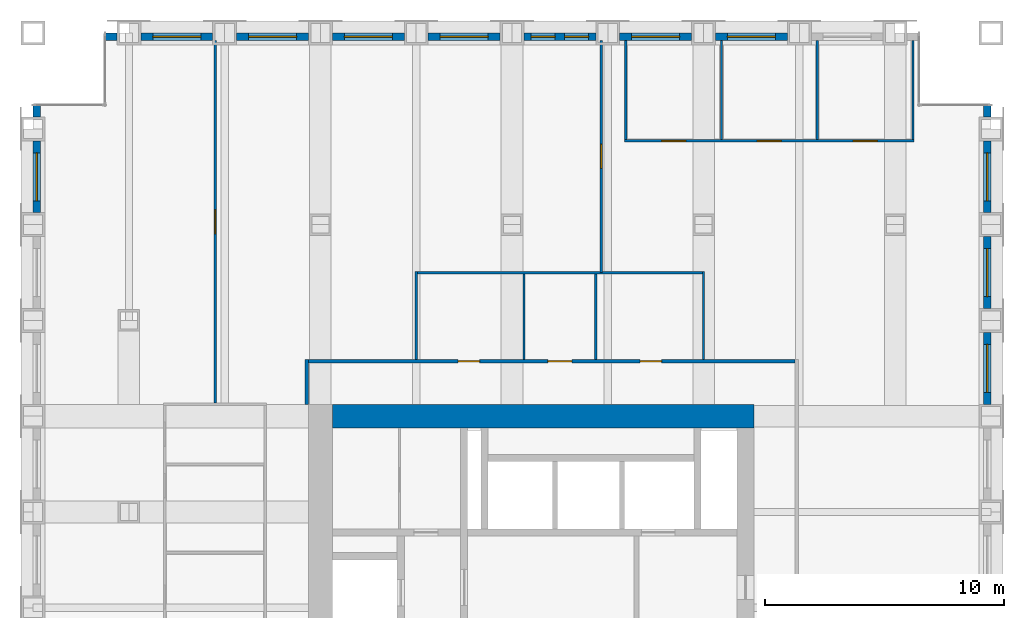
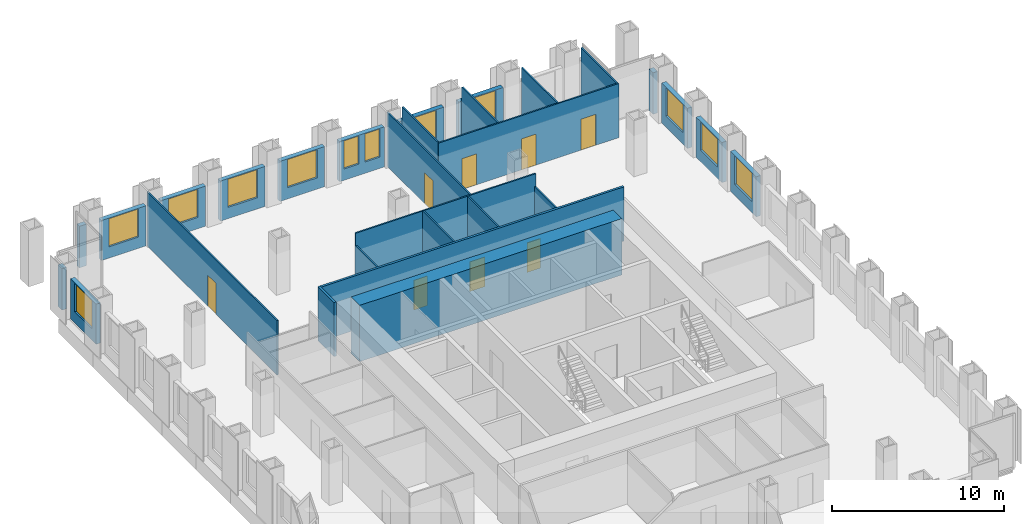
# One storey, part 10 of 12: 29 walls, 12 windows, 8 doors, 20 openings.
"""IFC4 building model written with IfcOpenShell, lengths in metres."""

from ifc_helpers import new_model, si_unit, direction, frame, frame_2d, origin, place, context, subcontext, project, spatial, rectangle, extrude, material, layer, layer_set, type_object, element, fill, save


model = new_model("IFC4")

# Units and contexts
model_context = context("Model", 3, precision=1e-05, world=origin(), true_north=direction((0.0, 1.0)))
body_context = subcontext(model_context, "Body", "Model", "MODEL_VIEW")
ifc_project = project(units=[si_unit("LENGTHUNIT", "METRE"), si_unit("AREAUNIT", "SQUARE_METRE"), si_unit("VOLUMEUNIT", "CUBIC_METRE"), si_unit("PLANEANGLEUNIT", "RADIAN"), si_unit("MASSUNIT", "GRAM", prefix="KILO")], contexts=[model_context])

# Site, building, storey
site_placement = place(None, origin())
site = spatial("IfcSite", under=ifc_project, at=site_placement, CompositionType="ELEMENT")
building_placement = place(site_placement, origin())
building = spatial("IfcBuilding", under=site, at=building_placement, Name="Rimbunsela Tower", CompositionType="ELEMENT")
storey_placement = place(building_placement, frame((0.0, 0.0, 159.800048828125)))
storey = spatial("IfcBuildingStorey", under=building, at=storey_placement, Name="L38", CompositionType="ELEMENT", Elevation=159.800048828125)

# Wall
ifc_material_1 = material(Name="Concrete fc' 80 MPa", Category="concrete")
ifc_layer_1 = layer(ifc_material_1, 1.0)
ifc_layer_set_1 = layer_set([ifc_layer_1], Name="Core wall 1000")
wall_type_1 = type_object("IfcWallType", Name="Core wall 1000", PredefinedType="SHEAR", material=ifc_layer_set_1)
wall_1_placement = place(storey_placement, frame((18.5, 36.0, -0.150146484375), z_axis=(0.0, 0.0, 1.0), x_axis=(1.0, 0.0, 0.0)))
element("IfcWall", 1, at=wall_1_placement, inside=storey, type_object=wall_type_1, Name="Core wall north", PredefinedType="SHEAR", context=body_context, shape_type="SweptSolid", body=[
    extrude(rectangle(XDim=17.60009765625, YDim=1.0, at=frame_2d((8.800048828125, 0.0))), origin(), (0.0, 0.0, 1.0), 4.0),
])

# Wall, openings, doors
ifc_material_2 = material(Name="Gypsum board on steel studs", Category="steel")
ifc_layer_2 = layer(ifc_material_2, 0.10009765625)
ifc_layer_set_2 = layer_set([ifc_layer_2], Name="Office partition 100")
wall_type_2 = type_object("IfcWallType", Name="Office partition 100", PredefinedType="PARTITIONING", material=ifc_layer_set_2)
wall_2_placement = place(storey_placement, frame((30.699951171875, 47.5, 0.0), z_axis=(0.0, 0.0, 1.0), x_axis=(1.0, 0.0, 0.0)))
wall_2 = element("IfcWall", 2, at=wall_2_placement, inside=storey, type_object=wall_type_2, Name="Office partition", PredefinedType="PARTITIONING", context=body_context, shape_type="SweptSolid", body=[
    extrude(rectangle(XDim=12.10009765625, YDim=0.10009765625, at=frame_2d((6.050048828125, 0.0))), origin(), (0.0, 0.0, 1.0), 3.849853515625),
])
opening_1_placement = place(wall_2_placement, frame((1.550048828125, 0.0, 0.0)))
opening_1 = element("IfcOpeningElement", 3, at=opening_1_placement, cuts=wall_2, Name="Opening D16", PredefinedType="OPENING", context=body_context, shape_type="SweptSolid", body=[
    extrude(rectangle(XDim=1.0, YDim=2.199951171875, at=frame_2d((0.5, 1.10009765625))), frame((0.0, 0.06005859375, 0.0), z_axis=(0.0, -1.0, 0.0), x_axis=(1.0, 0.0, 0.0)), (0.0, 0.0, 1.0), 0.1201171875),
])
opening_2_placement = place(wall_2_placement, frame((5.550048828125, 0.0, 0.0)))
opening_2 = element("IfcOpeningElement", 4, at=opening_2_placement, cuts=wall_2, Name="Opening D16", PredefinedType="OPENING", context=body_context, shape_type="SweptSolid", body=[
    extrude(rectangle(XDim=1.0, YDim=2.199951171875, at=frame_2d((0.5, 1.10009765625))), frame((0.0, 0.06005859375, 0.0), z_axis=(0.0, -1.0, 0.0), x_axis=(1.0, 0.0, 0.0)), (0.0, 0.0, 1.0), 0.1201171875),
])
opening_3_placement = place(wall_2_placement, frame((9.550048828125, 0.0, 0.0)))
opening_3 = element("IfcOpeningElement", 5, at=opening_3_placement, cuts=wall_2, Name="Opening D16", PredefinedType="OPENING", context=body_context, shape_type="SweptSolid", body=[
    extrude(rectangle(XDim=1.0, YDim=2.199951171875, at=frame_2d((0.5, 1.10009765625))), frame((0.0, 0.06005859375, 0.0), z_axis=(0.0, -1.0, 0.0), x_axis=(1.0, 0.0, 0.0)), (0.0, 0.0, 1.0), 0.1201171875),
])
ifc_material_3 = material(Name="Timber door", Category="wood")
door_type_1 = type_object("IfcDoorType", Name="Office door 1000", OperationType="SINGLE_SWING_LEFT", PredefinedType="DOOR", material=ifc_material_3)
door_1_placement = place(opening_1_placement, origin())
door_1 = element("IfcDoor", 6, at=door_1_placement, inside=storey, type_object=door_type_1, Name="Office door", OperationType="SINGLE_SWING_LEFT", OverallHeight=2.199951171875, OverallWidth=1.0, PredefinedType="DOOR", context=body_context, shape_type="SweptSolid", body=[
    extrude(rectangle(XDim=1.0, YDim=2.199951171875, at=frame_2d((0.5, 1.10009765625))), frame((0.0, 0.02490234375, 0.0), z_axis=(0.0, -1.0, 0.0), x_axis=(1.0, 0.0, 0.0)), (0.0, 0.0, 1.0), 0.050048828125),
])
fill(opening_1, door_1)
door_2_placement = place(opening_2_placement, origin())
door_2 = element("IfcDoor", 7, at=door_2_placement, inside=storey, type_object=door_type_1, Name="Office door", OperationType="SINGLE_SWING_LEFT", OverallHeight=2.199951171875, OverallWidth=1.0, PredefinedType="DOOR", context=body_context, shape_type="SweptSolid", body=[
    extrude(rectangle(XDim=1.0, YDim=2.199951171875, at=frame_2d((0.5, 1.10009765625))), frame((0.0, 0.02490234375, 0.0), z_axis=(0.0, -1.0, 0.0), x_axis=(1.0, 0.0, 0.0)), (0.0, 0.0, 1.0), 0.050048828125),
])
fill(opening_2, door_2)
door_3_placement = place(opening_3_placement, origin())
door_3 = element("IfcDoor", 8, at=door_3_placement, inside=storey, type_object=door_type_1, Name="Office door", OperationType="SINGLE_SWING_LEFT", OverallHeight=2.199951171875, OverallWidth=1.0, PredefinedType="DOOR", context=body_context, shape_type="SweptSolid", body=[
    extrude(rectangle(XDim=1.0, YDim=2.199951171875, at=frame_2d((0.5, 1.10009765625))), frame((0.0, 0.02490234375, 0.0), z_axis=(0.0, -1.0, 0.0), x_axis=(1.0, 0.0, 0.0)), (0.0, 0.0, 1.0), 0.050048828125),
])
fill(opening_3, door_3)

# Walls
for number, where, z_axis, x_axis, name in (
    (9, (30.75, 47.550048828125, 0.0), (0.0, 0.0, 1.0), (0.0, 1.0, 0.0), "Office partition"),
    (10, (34.75, 47.550048828125, 0.0), (0.0, 0.0, 1.0), (0.0, 1.0, 0.0), "Office partition"),
    (11, (38.75, 47.550048828125, 0.0), (0.0, 0.0, 1.0), (0.0, 1.0, 0.0), "Office partition"),
    (12, (42.75, 47.550048828125, 0.0), (0.0, 0.0, 1.0), (0.0, 1.0, 0.0), "Office partition"),
):
    element("IfcWall", number, at=place(storey_placement, frame(where, z_axis=z_axis, x_axis=x_axis)), inside=storey, type_object=wall_type_2, Name=name, PredefinedType="PARTITIONING", context=body_context, shape_type="SweptSolid", body=[
        extrude(rectangle(XDim=4.14990234375, YDim=0.10009765625, at=frame_2d((2.074951171875, 0.0))), origin(), (0.0, 0.0, 1.0), 3.849853515625),
    ])

# Wall, opening, door
wall_3_placement = place(storey_placement, frame((29.72509765625, 51.699951171875, 0.0), z_axis=(0.0, 0.0, 1.0), x_axis=(0.0, -1.0, 0.0)))
wall_3 = element("IfcWall", 13, at=wall_3_placement, inside=storey, type_object=wall_type_2, Name="Office partition", PredefinedType="PARTITIONING", context=body_context, shape_type="SweptSolid", body=[
    extrude(rectangle(XDim=9.699951171875, YDim=0.10009765625, at=frame_2d((4.85009765625, 0.0))), origin(), (0.0, 0.0, 1.0), 3.849853515625),
])
opening_4_placement = place(wall_3_placement, frame((4.35009765625, 0.0, 0.0)))
opening_4 = element("IfcOpeningElement", 14, at=opening_4_placement, cuts=wall_3, Name="Opening D17", PredefinedType="OPENING", context=body_context, shape_type="SweptSolid", body=[
    extrude(rectangle(XDim=1.0, YDim=2.199951171875, at=frame_2d((0.5, 1.10009765625))), frame((0.0, 0.06005859375, 0.0), z_axis=(0.0, -1.0, 0.0), x_axis=(1.0, 0.0, 0.0)), (0.0, 0.0, 1.0), 0.1201171875),
])
ifc_material_4 = material(Name="Glazed aluminium door", Category="aluminium")
door_type_2 = type_object("IfcDoorType", Name="Meeting room door 1000 glazed", OperationType="SINGLE_SWING_RIGHT", PredefinedType="DOOR", material=ifc_material_4)
door_4_placement = place(opening_4_placement, origin())
door_4 = element("IfcDoor", 15, at=door_4_placement, inside=storey, type_object=door_type_2, Name="Open office screen door", OperationType="SINGLE_SWING_RIGHT", OverallHeight=2.199951171875, OverallWidth=1.0, PredefinedType="DOOR", context=body_context, shape_type="SweptSolid", body=[
    extrude(rectangle(XDim=1.0, YDim=2.199951171875, at=frame_2d((0.5, 1.10009765625))), frame((0.0, 0.02490234375, 0.0), z_axis=(0.0, -1.0, 0.0), x_axis=(1.0, 0.0, 0.0)), (0.0, 0.0, 1.0), 0.050048828125),
])
fill(opening_4, door_4)

wall_4_placement = place(storey_placement, frame((13.60009765625, 36.550048828125, 0.0), z_axis=(0.0, 0.0, 1.0), x_axis=(0.0, 1.0, 0.0)))
wall_4 = element("IfcWall", 16, at=wall_4_placement, inside=storey, type_object=wall_type_2, Name="Office partition", PredefinedType="PARTITIONING", context=body_context, shape_type="SweptSolid", body=[
    extrude(rectangle(XDim=15.14990234375, YDim=0.10009765625, at=frame_2d((7.574951171875, 0.0))), origin(), (0.0, 0.0, 1.0), 3.849853515625),
])
opening_5_placement = place(wall_4_placement, frame((7.074951171875, 0.0, 0.0)))
opening_5 = element("IfcOpeningElement", 17, at=opening_5_placement, cuts=wall_4, Name="Opening D17", PredefinedType="OPENING", context=body_context, shape_type="SweptSolid", body=[
    extrude(rectangle(XDim=1.0, YDim=2.199951171875, at=frame_2d((0.5, 1.10009765625))), frame((0.0, 0.06005859375, 0.0), z_axis=(0.0, -1.0, 0.0), x_axis=(1.0, 0.0, 0.0)), (0.0, 0.0, 1.0), 0.1201171875),
])
door_5_placement = place(opening_5_placement, origin())
door_5 = element("IfcDoor", 18, at=door_5_placement, inside=storey, type_object=door_type_2, Name="Open office screen door", OperationType="SINGLE_SWING_RIGHT", OverallHeight=2.199951171875, OverallWidth=1.0, PredefinedType="DOOR", context=body_context, shape_type="SweptSolid", body=[
    extrude(rectangle(XDim=1.0, YDim=2.199951171875, at=frame_2d((0.5, 1.10009765625))), frame((0.0, 0.02490234375, 0.0), z_axis=(0.0, -1.0, 0.0), x_axis=(1.0, 0.0, 0.0)), (0.0, 0.0, 1.0), 0.050048828125),
])
fill(opening_5, door_5)

# Wall, opening, window
ifc_material_5 = material(Name="Precast concrete fc' 35 MPa", Category="concrete")
ifc_layer_3 = layer(ifc_material_5, 0.300048828125)
ifc_layer_set_3 = layer_set([ifc_layer_3], Name="Precast concrete fc' 35 MPa")
wall_type_3 = type_object("IfcWallType", Name="Precast facade panel 300", PredefinedType="ELEMENTEDWALL", material=ifc_layer_set_3)
wall_5_placement = place(storey_placement, frame((45.85009765625, 36.5, 0.0), z_axis=(0.0, 0.0, 1.0), x_axis=(0.0, 1.0, 0.0)))
wall_5 = element("IfcWall", 19, at=wall_5_placement, inside=storey, type_object=wall_type_3, Name="Facade panel E L38", PredefinedType="ELEMENTEDWALL", context=body_context, shape_type="SweptSolid", body=[
    extrude(rectangle(XDim=3.0, YDim=0.300048828125, at=frame_2d((1.5, 0.0))), origin(), (0.0, 0.0, 1.0), 2.849853515625),
])
opening_6_placement = place(wall_5_placement, frame((0.5, 0.0, 0.800048828125)))
opening_6 = element("IfcOpeningElement", 20, at=opening_6_placement, cuts=wall_5, Name="Opening W1", PredefinedType="OPENING", context=body_context, shape_type="SweptSolid", body=[
    extrude(rectangle(XDim=2.0, YDim=2.0, at=frame_2d((1.0, 1.0))), frame((0.0, 0.159912109375, 0.0), z_axis=(0.0, -1.0, 0.0), x_axis=(1.0, 0.0, 0.0)), (0.0, 0.0, 1.0), 0.320068359375),
])
ifc_material_6 = material(Name="Clear glass in aluminium frame", Category="aluminium")
window_type_1 = type_object("IfcWindowType", Name="Window W1 2000x2000", PartitioningType="DOUBLE_PANEL_VERTICAL", PredefinedType="WINDOW", material=ifc_material_6)
window_1_placement = place(opening_6_placement, origin())
window_1 = element("IfcWindow", 21, at=window_1_placement, inside=storey, type_object=window_type_1, Name="Window L38", OverallHeight=2.0, OverallWidth=2.0, PartitioningType="SINGLE_PANEL", PredefinedType="WINDOW", context=body_context, shape_type="SweptSolid", body=[
    extrude(rectangle(XDim=2.0, YDim=2.0, at=frame_2d((1.0, 1.0))), frame((0.0, 0.030029296875, 0.0), z_axis=(0.0, -1.0, 0.0), x_axis=(1.0, 0.0, 0.0)), (0.0, 0.0, 1.0), 0.06005859375),
])
fill(opening_6, window_1)

wall_6_placement = place(storey_placement, frame((45.85009765625, 40.5, 0.0), z_axis=(0.0, 0.0, 1.0), x_axis=(0.0, 1.0, 0.0)))
wall_6 = element("IfcWall", 22, at=wall_6_placement, inside=storey, type_object=wall_type_3, Name="Facade panel E L38", PredefinedType="ELEMENTEDWALL", context=body_context, shape_type="SweptSolid", body=[
    extrude(rectangle(XDim=3.0, YDim=0.300048828125, at=frame_2d((1.5, 0.0))), origin(), (0.0, 0.0, 1.0), 2.849853515625),
])
opening_7_placement = place(wall_6_placement, frame((0.5, 0.0, 0.800048828125)))
opening_7 = element("IfcOpeningElement", 23, at=opening_7_placement, cuts=wall_6, Name="Opening W1", PredefinedType="OPENING", context=body_context, shape_type="SweptSolid", body=[
    extrude(rectangle(XDim=2.0, YDim=2.0, at=frame_2d((1.0, 1.0))), frame((0.0, 0.159912109375, 0.0), z_axis=(0.0, -1.0, 0.0), x_axis=(1.0, 0.0, 0.0)), (0.0, 0.0, 1.0), 0.320068359375),
])
window_2_placement = place(opening_7_placement, origin())
window_2 = element("IfcWindow", 24, at=window_2_placement, inside=storey, type_object=window_type_1, Name="Window L38", OverallHeight=2.0, OverallWidth=2.0, PartitioningType="SINGLE_PANEL", PredefinedType="WINDOW", context=body_context, shape_type="SweptSolid", body=[
    extrude(rectangle(XDim=2.0, YDim=2.0, at=frame_2d((1.0, 1.0))), frame((0.0, 0.030029296875, 0.0), z_axis=(0.0, -1.0, 0.0), x_axis=(1.0, 0.0, 0.0)), (0.0, 0.0, 1.0), 0.06005859375),
])
fill(opening_7, window_2)

wall_7_placement = place(storey_placement, frame((45.85009765625, 44.5, 0.0), z_axis=(0.0, 0.0, 1.0), x_axis=(0.0, 1.0, 0.0)))
wall_7 = element("IfcWall", 25, at=wall_7_placement, inside=storey, type_object=wall_type_3, Name="Facade panel E L38", PredefinedType="ELEMENTEDWALL", context=body_context, shape_type="SweptSolid", body=[
    extrude(rectangle(XDim=3.0, YDim=0.300048828125, at=frame_2d((1.5, 0.0))), origin(), (0.0, 0.0, 1.0), 2.849853515625),
])
opening_8_placement = place(wall_7_placement, frame((0.5, 0.0, 0.800048828125)))
opening_8 = element("IfcOpeningElement", 26, at=opening_8_placement, cuts=wall_7, Name="Opening W1", PredefinedType="OPENING", context=body_context, shape_type="SweptSolid", body=[
    extrude(rectangle(XDim=2.0, YDim=2.0, at=frame_2d((1.0, 1.0))), frame((0.0, 0.159912109375, 0.0), z_axis=(0.0, -1.0, 0.0), x_axis=(1.0, 0.0, 0.0)), (0.0, 0.0, 1.0), 0.320068359375),
])
window_3_placement = place(opening_8_placement, origin())
window_3 = element("IfcWindow", 27, at=window_3_placement, inside=storey, type_object=window_type_1, Name="Window L38", OverallHeight=2.0, OverallWidth=2.0, PartitioningType="SINGLE_PANEL", PredefinedType="WINDOW", context=body_context, shape_type="SweptSolid", body=[
    extrude(rectangle(XDim=2.0, YDim=2.0, at=frame_2d((1.0, 1.0))), frame((0.0, 0.030029296875, 0.0), z_axis=(0.0, -1.0, 0.0), x_axis=(1.0, 0.0, 0.0)), (0.0, 0.0, 1.0), 0.06005859375),
])
fill(opening_8, window_3)

# Walls
for number, where, z_axis, x_axis, name in (
    (28, (45.85009765625, 48.5, 0.0), (0.0, 0.0, 1.0), (0.0, 1.0, 0.0), "Facade panel E L38"),
    (29, (9.5, 51.85009765625, 0.0), (0.0, 0.0, 1.0), (-1.0, 0.0, 0.0), "Facade panel N L38"),
):
    element("IfcWall", number, at=place(storey_placement, frame(where, z_axis=z_axis, x_axis=x_axis)), inside=storey, type_object=wall_type_3, Name=name, PredefinedType="ELEMENTEDWALL", context=body_context, shape_type="SweptSolid", body=[
        extrude(rectangle(XDim=0.469970703125, YDim=0.300048828125, at=frame_2d((0.23486328125, 0.0))), origin(), (0.0, 0.0, 1.0), 2.949951171875),
    ])

# Wall, opening, window
wall_8_placement = place(storey_placement, frame((13.5, 51.85009765625, 0.0), z_axis=(0.0, 0.0, 1.0), x_axis=(-1.0, 0.0, 0.0)))
wall_8 = element("IfcWall", 30, at=wall_8_placement, inside=storey, type_object=wall_type_3, Name="Facade panel N L38", PredefinedType="ELEMENTEDWALL", context=body_context, shape_type="SweptSolid", body=[
    extrude(rectangle(XDim=3.0, YDim=0.300048828125, at=frame_2d((1.5, 0.0))), origin(), (0.0, 0.0, 1.0), 2.849853515625),
])
opening_9_placement = place(wall_8_placement, frame((0.5, 0.0, 0.800048828125)))
opening_9 = element("IfcOpeningElement", 31, at=opening_9_placement, cuts=wall_8, Name="Opening W1", PredefinedType="OPENING", context=body_context, shape_type="SweptSolid", body=[
    extrude(rectangle(XDim=2.0, YDim=2.0, at=frame_2d((1.0, 1.0))), frame((0.0, 0.159912109375, 0.0), z_axis=(0.0, -1.0, 0.0), x_axis=(1.0, 0.0, 0.0)), (0.0, 0.0, 1.0), 0.320068359375),
])
window_4_placement = place(opening_9_placement, origin())
window_4 = element("IfcWindow", 32, at=window_4_placement, inside=storey, type_object=window_type_1, Name="Window L38", OverallHeight=2.0, OverallWidth=2.0, PartitioningType="SINGLE_PANEL", PredefinedType="WINDOW", context=body_context, shape_type="SweptSolid", body=[
    extrude(rectangle(XDim=2.0, YDim=2.0, at=frame_2d((1.0, 1.0))), frame((0.0, 0.030029296875, 0.0), z_axis=(0.0, -1.0, 0.0), x_axis=(1.0, 0.0, 0.0)), (0.0, 0.0, 1.0), 0.06005859375),
])
fill(opening_9, window_4)

wall_9_placement = place(storey_placement, frame((17.5, 51.85009765625, 0.0), z_axis=(0.0, 0.0, 1.0), x_axis=(-1.0, 0.0, 0.0)))
wall_9 = element("IfcWall", 33, at=wall_9_placement, inside=storey, type_object=wall_type_3, Name="Facade panel N L38", PredefinedType="ELEMENTEDWALL", context=body_context, shape_type="SweptSolid", body=[
    extrude(rectangle(XDim=3.0, YDim=0.300048828125, at=frame_2d((1.5, 0.0))), origin(), (0.0, 0.0, 1.0), 2.849853515625),
])
opening_10_placement = place(wall_9_placement, frame((0.5, 0.0, 0.800048828125)))
opening_10 = element("IfcOpeningElement", 34, at=opening_10_placement, cuts=wall_9, Name="Opening W1", PredefinedType="OPENING", context=body_context, shape_type="SweptSolid", body=[
    extrude(rectangle(XDim=2.0, YDim=2.0, at=frame_2d((1.0, 1.0))), frame((0.0, 0.159912109375, 0.0), z_axis=(0.0, -1.0, 0.0), x_axis=(1.0, 0.0, 0.0)), (0.0, 0.0, 1.0), 0.320068359375),
])
window_5_placement = place(opening_10_placement, origin())
window_5 = element("IfcWindow", 35, at=window_5_placement, inside=storey, type_object=window_type_1, Name="Window L38", OverallHeight=2.0, OverallWidth=2.0, PartitioningType="SINGLE_PANEL", PredefinedType="WINDOW", context=body_context, shape_type="SweptSolid", body=[
    extrude(rectangle(XDim=2.0, YDim=2.0, at=frame_2d((1.0, 1.0))), frame((0.0, 0.030029296875, 0.0), z_axis=(0.0, -1.0, 0.0), x_axis=(1.0, 0.0, 0.0)), (0.0, 0.0, 1.0), 0.06005859375),
])
fill(opening_10, window_5)

wall_10_placement = place(storey_placement, frame((21.5, 51.85009765625, 0.0), z_axis=(0.0, 0.0, 1.0), x_axis=(-1.0, 0.0, 0.0)))
wall_10 = element("IfcWall", 36, at=wall_10_placement, inside=storey, type_object=wall_type_3, Name="Facade panel N L38", PredefinedType="ELEMENTEDWALL", context=body_context, shape_type="SweptSolid", body=[
    extrude(rectangle(XDim=3.0, YDim=0.300048828125, at=frame_2d((1.5, 0.0))), origin(), (0.0, 0.0, 1.0), 2.849853515625),
])
opening_11_placement = place(wall_10_placement, frame((0.5, 0.0, 0.800048828125)))
opening_11 = element("IfcOpeningElement", 37, at=opening_11_placement, cuts=wall_10, Name="Opening W1", PredefinedType="OPENING", context=body_context, shape_type="SweptSolid", body=[
    extrude(rectangle(XDim=2.0, YDim=2.0, at=frame_2d((1.0, 1.0))), frame((0.0, 0.159912109375, 0.0), z_axis=(0.0, -1.0, 0.0), x_axis=(1.0, 0.0, 0.0)), (0.0, 0.0, 1.0), 0.320068359375),
])
window_6_placement = place(opening_11_placement, origin())
window_6 = element("IfcWindow", 38, at=window_6_placement, inside=storey, type_object=window_type_1, Name="Window L38", OverallHeight=2.0, OverallWidth=2.0, PartitioningType="SINGLE_PANEL", PredefinedType="WINDOW", context=body_context, shape_type="SweptSolid", body=[
    extrude(rectangle(XDim=2.0, YDim=2.0, at=frame_2d((1.0, 1.0))), frame((0.0, 0.030029296875, 0.0), z_axis=(0.0, -1.0, 0.0), x_axis=(1.0, 0.0, 0.0)), (0.0, 0.0, 1.0), 0.06005859375),
])
fill(opening_11, window_6)

wall_11_placement = place(storey_placement, frame((25.5, 51.85009765625, 0.0), z_axis=(0.0, 0.0, 1.0), x_axis=(-1.0, 0.0, 0.0)))
wall_11 = element("IfcWall", 39, at=wall_11_placement, inside=storey, type_object=wall_type_3, Name="Facade panel N L38", PredefinedType="ELEMENTEDWALL", context=body_context, shape_type="SweptSolid", body=[
    extrude(rectangle(XDim=3.0, YDim=0.300048828125, at=frame_2d((1.5, 0.0))), origin(), (0.0, 0.0, 1.0), 2.849853515625),
])
opening_12_placement = place(wall_11_placement, frame((0.5, 0.0, 0.800048828125)))
opening_12 = element("IfcOpeningElement", 40, at=opening_12_placement, cuts=wall_11, Name="Opening W1", PredefinedType="OPENING", context=body_context, shape_type="SweptSolid", body=[
    extrude(rectangle(XDim=2.0, YDim=2.0, at=frame_2d((1.0, 1.0))), frame((0.0, 0.159912109375, 0.0), z_axis=(0.0, -1.0, 0.0), x_axis=(1.0, 0.0, 0.0)), (0.0, 0.0, 1.0), 0.320068359375),
])
window_7_placement = place(opening_12_placement, origin())
window_7 = element("IfcWindow", 41, at=window_7_placement, inside=storey, type_object=window_type_1, Name="Window L38", OverallHeight=2.0, OverallWidth=2.0, PartitioningType="SINGLE_PANEL", PredefinedType="WINDOW", context=body_context, shape_type="SweptSolid", body=[
    extrude(rectangle(XDim=2.0, YDim=2.0, at=frame_2d((1.0, 1.0))), frame((0.0, 0.030029296875, 0.0), z_axis=(0.0, -1.0, 0.0), x_axis=(1.0, 0.0, 0.0)), (0.0, 0.0, 1.0), 0.06005859375),
])
fill(opening_12, window_7)

# Wall, openings, windows
wall_12_placement = place(storey_placement, frame((29.5, 51.85009765625, 0.0), z_axis=(0.0, 0.0, 1.0), x_axis=(-1.0, 0.0, 0.0)))
wall_12 = element("IfcWall", 42, at=wall_12_placement, inside=storey, type_object=wall_type_3, Name="Facade panel N L38", PredefinedType="ELEMENTEDWALL", context=body_context, shape_type="SweptSolid", body=[
    extrude(rectangle(XDim=3.0, YDim=0.300048828125, at=frame_2d((1.5, 0.0))), origin(), (0.0, 0.0, 1.0), 2.849853515625),
])
opening_13_placement = place(wall_12_placement, frame((1.699951171875, 0.0, 0.800048828125)))
opening_13 = element("IfcOpeningElement", 43, at=opening_13_placement, cuts=wall_12, Name="Opening W5", PredefinedType="OPENING", context=body_context, shape_type="SweptSolid", body=[
    extrude(rectangle(XDim=1.0, YDim=2.0, at=frame_2d((0.5, 1.0))), frame((0.0, 0.159912109375, 0.0), z_axis=(0.0, -1.0, 0.0), x_axis=(1.0, 0.0, 0.0)), (0.0, 0.0, 1.0), 0.320068359375),
])
opening_14_placement = place(wall_12_placement, frame((0.300048828125, 0.0, 0.800048828125)))
opening_14 = element("IfcOpeningElement", 44, at=opening_14_placement, cuts=wall_12, Name="Opening W5", PredefinedType="OPENING", context=body_context, shape_type="SweptSolid", body=[
    extrude(rectangle(XDim=1.0, YDim=2.0, at=frame_2d((0.5, 1.0))), frame((0.0, 0.159912109375, 0.0), z_axis=(0.0, -1.0, 0.0), x_axis=(1.0, 0.0, 0.0)), (0.0, 0.0, 1.0), 0.320068359375),
])
ifc_material_7 = material(Name="Clear glass in aluminium frame", Category="aluminium")
window_type_2 = type_object("IfcWindowType", Name="Window W5 1000x2000", PartitioningType="SINGLE_PANEL", PredefinedType="WINDOW", material=ifc_material_7)
window_8_placement = place(opening_13_placement, origin())
window_8 = element("IfcWindow", 45, at=window_8_placement, inside=storey, type_object=window_type_2, Name="Window L38", OverallHeight=2.0, OverallWidth=1.0, PartitioningType="SINGLE_PANEL", PredefinedType="WINDOW", context=body_context, shape_type="SweptSolid", body=[
    extrude(rectangle(XDim=1.0, YDim=2.0, at=frame_2d((0.5, 1.0))), frame((0.0, 0.030029296875, 0.0), z_axis=(0.0, -1.0, 0.0), x_axis=(1.0, 0.0, 0.0)), (0.0, 0.0, 1.0), 0.06005859375),
])
fill(opening_13, window_8)
window_9_placement = place(opening_14_placement, origin())
window_9 = element("IfcWindow", 46, at=window_9_placement, inside=storey, type_object=window_type_2, Name="Window L38", OverallHeight=2.0, OverallWidth=1.0, PartitioningType="SINGLE_PANEL", PredefinedType="WINDOW", context=body_context, shape_type="SweptSolid", body=[
    extrude(rectangle(XDim=1.0, YDim=2.0, at=frame_2d((0.5, 1.0))), frame((0.0, 0.030029296875, 0.0), z_axis=(0.0, -1.0, 0.0), x_axis=(1.0, 0.0, 0.0)), (0.0, 0.0, 1.0), 0.06005859375),
])
fill(opening_14, window_9)

# Wall, opening, window
wall_13_placement = place(storey_placement, frame((33.5, 51.85009765625, 0.0), z_axis=(0.0, 0.0, 1.0), x_axis=(-1.0, 0.0, 0.0)))
wall_13 = element("IfcWall", 47, at=wall_13_placement, inside=storey, type_object=wall_type_3, Name="Facade panel N L38", PredefinedType="ELEMENTEDWALL", context=body_context, shape_type="SweptSolid", body=[
    extrude(rectangle(XDim=3.0, YDim=0.300048828125, at=frame_2d((1.5, 0.0))), origin(), (0.0, 0.0, 1.0), 2.849853515625),
])
opening_15_placement = place(wall_13_placement, frame((0.5, 0.0, 0.800048828125)))
opening_15 = element("IfcOpeningElement", 48, at=opening_15_placement, cuts=wall_13, Name="Opening W1", PredefinedType="OPENING", context=body_context, shape_type="SweptSolid", body=[
    extrude(rectangle(XDim=2.0, YDim=2.0, at=frame_2d((1.0, 1.0))), frame((0.0, 0.159912109375, 0.0), z_axis=(0.0, -1.0, 0.0), x_axis=(1.0, 0.0, 0.0)), (0.0, 0.0, 1.0), 0.320068359375),
])
window_10_placement = place(opening_15_placement, origin())
window_10 = element("IfcWindow", 49, at=window_10_placement, inside=storey, type_object=window_type_1, Name="Window L38", OverallHeight=2.0, OverallWidth=2.0, PartitioningType="SINGLE_PANEL", PredefinedType="WINDOW", context=body_context, shape_type="SweptSolid", body=[
    extrude(rectangle(XDim=2.0, YDim=2.0, at=frame_2d((1.0, 1.0))), frame((0.0, 0.030029296875, 0.0), z_axis=(0.0, -1.0, 0.0), x_axis=(1.0, 0.0, 0.0)), (0.0, 0.0, 1.0), 0.06005859375),
])
fill(opening_15, window_10)

wall_14_placement = place(storey_placement, frame((37.5, 51.85009765625, 0.0), z_axis=(0.0, 0.0, 1.0), x_axis=(-1.0, 0.0, 0.0)))
wall_14 = element("IfcWall", 50, at=wall_14_placement, inside=storey, type_object=wall_type_3, Name="Facade panel N L38", PredefinedType="ELEMENTEDWALL", context=body_context, shape_type="SweptSolid", body=[
    extrude(rectangle(XDim=3.0, YDim=0.300048828125, at=frame_2d((1.5, 0.0))), origin(), (0.0, 0.0, 1.0), 2.849853515625),
])
opening_16_placement = place(wall_14_placement, frame((0.5, 0.0, 0.800048828125)))
opening_16 = element("IfcOpeningElement", 51, at=opening_16_placement, cuts=wall_14, Name="Opening W1", PredefinedType="OPENING", context=body_context, shape_type="SweptSolid", body=[
    extrude(rectangle(XDim=2.0, YDim=2.0, at=frame_2d((1.0, 1.0))), frame((0.0, 0.159912109375, 0.0), z_axis=(0.0, -1.0, 0.0), x_axis=(1.0, 0.0, 0.0)), (0.0, 0.0, 1.0), 0.320068359375),
])
window_11_placement = place(opening_16_placement, origin())
window_11 = element("IfcWindow", 52, at=window_11_placement, inside=storey, type_object=window_type_1, Name="Window L38", OverallHeight=2.0, OverallWidth=2.0, PartitioningType="SINGLE_PANEL", PredefinedType="WINDOW", context=body_context, shape_type="SweptSolid", body=[
    extrude(rectangle(XDim=2.0, YDim=2.0, at=frame_2d((1.0, 1.0))), frame((0.0, 0.030029296875, 0.0), z_axis=(0.0, -1.0, 0.0), x_axis=(1.0, 0.0, 0.0)), (0.0, 0.0, 1.0), 0.06005859375),
])
fill(opening_16, window_11)

wall_15_placement = place(storey_placement, frame((6.14990234375, 47.5, 0.0), z_axis=(0.0, 0.0, 1.0), x_axis=(0.0, -1.0, 0.0)))
wall_15 = element("IfcWall", 53, at=wall_15_placement, inside=storey, type_object=wall_type_3, Name="Facade panel W L38", PredefinedType="ELEMENTEDWALL", context=body_context, shape_type="SweptSolid", body=[
    extrude(rectangle(XDim=3.0, YDim=0.300048828125, at=frame_2d((1.5, 0.0))), origin(), (0.0, 0.0, 1.0), 2.849853515625),
])
opening_17_placement = place(wall_15_placement, frame((0.5, 0.0, 0.800048828125)))
opening_17 = element("IfcOpeningElement", 54, at=opening_17_placement, cuts=wall_15, Name="Opening W1", PredefinedType="OPENING", context=body_context, shape_type="SweptSolid", body=[
    extrude(rectangle(XDim=2.0, YDim=2.0, at=frame_2d((1.0, 1.0))), frame((0.0, 0.159912109375, 0.0), z_axis=(0.0, -1.0, 0.0), x_axis=(1.0, 0.0, 0.0)), (0.0, 0.0, 1.0), 0.320068359375),
])
window_12_placement = place(opening_17_placement, origin())
window_12 = element("IfcWindow", 55, at=window_12_placement, inside=storey, type_object=window_type_1, Name="Window L38", OverallHeight=2.0, OverallWidth=2.0, PartitioningType="SINGLE_PANEL", PredefinedType="WINDOW", context=body_context, shape_type="SweptSolid", body=[
    extrude(rectangle(XDim=2.0, YDim=2.0, at=frame_2d((1.0, 1.0))), frame((0.0, 0.030029296875, 0.0), z_axis=(0.0, -1.0, 0.0), x_axis=(1.0, 0.0, 0.0)), (0.0, 0.0, 1.0), 0.06005859375),
])
fill(opening_17, window_12)

# Walls
wall_16_placement = place(storey_placement, frame((6.14990234375, 48.969970703125, 0.0), z_axis=(0.0, 0.0, 1.0), x_axis=(0.0, -1.0, 0.0)))
element("IfcWall", 56, at=wall_16_placement, inside=storey, type_object=wall_type_3, Name="Facade panel W L38", PredefinedType="ELEMENTEDWALL", context=body_context, shape_type="SweptSolid", body=[
    extrude(rectangle(XDim=0.469970703125, YDim=0.300048828125, at=frame_2d((0.23486328125, 0.0))), origin(), (0.0, 0.0, 1.0), 2.949951171875),
])
ifc_material_8 = material(Name="Fire-rated gypsum board on steel studs, EI 60", Category="steel")
ifc_layer_4 = layer(ifc_material_8, 0.14990234375)
ifc_layer_set_4 = layer_set([ifc_layer_4], Name="Rated corridor wall 150")
wall_type_4 = type_object("IfcWallType", Name="Rated corridor wall 150", PredefinedType="PARTITIONING", material=ifc_layer_set_4)
wall_17_placement = place(storey_placement, frame((17.425048828125, 36.5, 0.0), z_axis=(0.0, 0.0, 1.0), x_axis=(0.0, 1.0, 0.0)))
element("IfcWall", 57, at=wall_17_placement, inside=storey, type_object=wall_type_4, Name="Corridor end wall north", PredefinedType="PARTITIONING", context=body_context, shape_type="SweptSolid", body=[
    extrude(rectangle(XDim=1.875, YDim=0.14990234375, at=frame_2d((0.9375, 0.0))), origin(), (0.0, 0.0, 1.0), 3.849853515625),
])

# Wall, openings, doors
wall_18_placement = place(storey_placement, frame((17.5, 38.300048828125, 0.0), z_axis=(0.0, 0.0, 1.0), x_axis=(1.0, 0.0, 0.0)))
wall_18 = element("IfcWall", 58, at=wall_18_placement, inside=storey, type_object=wall_type_4, Name="Corridor wall north", PredefinedType="PARTITIONING", context=body_context, shape_type="SweptSolid", body=[
    extrude(rectangle(XDim=20.324951171875, YDim=0.14990234375, at=frame_2d((10.16259765625, 0.0))), origin(), (0.0, 0.0, 1.0), 3.849853515625),
])
opening_18_placement = place(wall_18_placement, frame((6.25, 0.0, 0.0)))
opening_18 = element("IfcOpeningElement", 59, at=opening_18_placement, cuts=wall_18, Name="Opening D04", PredefinedType="OPENING", context=body_context, shape_type="SweptSolid", body=[
    extrude(rectangle(XDim=0.89990234375, YDim=2.10009765625, at=frame_2d((0.449951171875, 1.050048828125))), frame((0.0, 0.0849609375, 0.0), z_axis=(0.0, -1.0, 0.0), x_axis=(1.0, 0.0, 0.0)), (0.0, 0.0, 1.0), 0.169921875),
])
opening_19_placement = place(wall_18_placement, frame((10.0, 0.0, 0.0)))
opening_19 = element("IfcOpeningElement", 60, at=opening_19_placement, cuts=wall_18, Name="Opening D05", PredefinedType="OPENING", context=body_context, shape_type="SweptSolid", body=[
    extrude(rectangle(XDim=1.0, YDim=2.10009765625, at=frame_2d((0.5, 1.050048828125))), frame((0.0, 0.0849609375, 0.0), z_axis=(0.0, -1.0, 0.0), x_axis=(1.0, 0.0, 0.0)), (0.0, 0.0, 1.0), 0.169921875),
])
opening_20_placement = place(wall_18_placement, frame((13.85009765625, 0.0, 0.0)))
opening_20 = element("IfcOpeningElement", 61, at=opening_20_placement, cuts=wall_18, Name="Opening D04", PredefinedType="OPENING", context=body_context, shape_type="SweptSolid", body=[
    extrude(rectangle(XDim=0.89990234375, YDim=2.10009765625, at=frame_2d((0.449951171875, 1.050048828125))), frame((0.0, 0.0849609375, 0.0), z_axis=(0.0, -1.0, 0.0), x_axis=(1.0, 0.0, 0.0)), (0.0, 0.0, 1.0), 0.169921875),
])
ifc_material_9 = material(Name="Timber door", Category="wood")
door_type_3 = type_object("IfcDoorType", Name="Accessible WC door 1000", OperationType="SLIDING_TO_LEFT", PredefinedType="DOOR", material=ifc_material_9)
door_6_placement = place(opening_19_placement, origin())
door_6 = element("IfcDoor", 62, at=door_6_placement, inside=storey, type_object=door_type_3, Name="Accessible WC door", OperationType="SLIDING_TO_LEFT", OverallHeight=2.10009765625, OverallWidth=1.0, PredefinedType="DOOR", context=body_context, shape_type="SweptSolid", body=[
    extrude(rectangle(XDim=1.0, YDim=2.10009765625, at=frame_2d((0.5, 1.050048828125))), frame((0.0, 0.02490234375, 0.0), z_axis=(0.0, -1.0, 0.0), x_axis=(1.0, 0.0, 0.0)), (0.0, 0.0, 1.0), 0.050048828125),
])
fill(opening_19, door_6)
ifc_material_10 = material(Name="Timber door", Category="wood")
door_type_4 = type_object("IfcDoorType", Name="Toilet door 900", OperationType="SINGLE_SWING_LEFT", PredefinedType="DOOR", material=ifc_material_10)
door_7_placement = place(opening_18_placement, origin())
door_7 = element("IfcDoor", 63, at=door_7_placement, inside=storey, type_object=door_type_4, Name="Female WC door", OperationType="SINGLE_SWING_LEFT", OverallHeight=2.10009765625, OverallWidth=0.89990234375, PredefinedType="DOOR", context=body_context, shape_type="SweptSolid", body=[
    extrude(rectangle(XDim=0.89990234375, YDim=2.10009765625, at=frame_2d((0.449951171875, 1.050048828125))), frame((0.0, 0.02490234375, 0.0), z_axis=(0.0, -1.0, 0.0), x_axis=(1.0, 0.0, 0.0)), (0.0, 0.0, 1.0), 0.050048828125),
])
fill(opening_18, door_7)
door_8_placement = place(opening_20_placement, origin())
door_8 = element("IfcDoor", 64, at=door_8_placement, inside=storey, type_object=door_type_4, Name="Male WC door", OperationType="SINGLE_SWING_LEFT", OverallHeight=2.10009765625, OverallWidth=0.89990234375, PredefinedType="DOOR", context=body_context, shape_type="SweptSolid", body=[
    extrude(rectangle(XDim=0.89990234375, YDim=2.10009765625, at=frame_2d((0.449951171875, 1.050048828125))), frame((0.0, 0.02490234375, 0.0), z_axis=(0.0, -1.0, 0.0), x_axis=(1.0, 0.0, 0.0)), (0.0, 0.0, 1.0), 0.050048828125),
])
fill(opening_20, door_8)

# Walls
ifc_material_11 = material(Name="Concrete blockwork", Category="masonry")
ifc_layer_5 = layer(ifc_material_11, 0.10009765625)
ifc_layer_set_5 = layer_set([ifc_layer_5], Name="Toilet partition 100")
wall_type_5 = type_object("IfcWallType", Name="Toilet partition 100", PredefinedType="PARTITIONING", material=ifc_layer_set_5)
for number, where, z_axis, x_axis, name in (
    (65, (22.0, 38.375, 0.0), (0.0, 0.0, 1.0), (0.0, 1.0, 0.0), "Toilet block wall west"),
    (66, (34.0, 38.375, 0.0), (0.0, 0.0, 1.0), (0.0, 1.0, 0.0), "Toilet block wall east"),
):
    element("IfcWall", number, at=place(storey_placement, frame(where, z_axis=z_axis, x_axis=x_axis)), inside=storey, type_object=wall_type_5, Name=name, PredefinedType="PARTITIONING", context=body_context, shape_type="SweptSolid", body=[
        extrude(rectangle(XDim=3.675048828125, YDim=0.10009765625, at=frame_2d((1.83740234375, 0.0))), origin(), (0.0, 0.0, 1.0), 2.949951171875),
    ])
wall_19_placement = place(storey_placement, frame((21.949951171875, 42.0, 0.0), z_axis=(0.0, 0.0, 1.0), x_axis=(1.0, 0.0, 0.0)))
element("IfcWall", 67, at=wall_19_placement, inside=storey, type_object=wall_type_5, Name="Toilet block wall north", PredefinedType="PARTITIONING", context=body_context, shape_type="SweptSolid", body=[
    extrude(rectangle(XDim=12.10009765625, YDim=0.10009765625, at=frame_2d((6.050048828125, 0.0))), origin(), (0.0, 0.0, 1.0), 3.849853515625),
])
for number, where, z_axis, x_axis, name in (
    (68, (26.5, 38.375, 0.0), (0.0, 0.0, 1.0), (0.0, 1.0, 0.0), "Toilet partition"),
    (69, (29.5, 38.375, 0.0), (0.0, 0.0, 1.0), (0.0, 1.0, 0.0), "Toilet partition"),
):
    element("IfcWall", number, at=place(storey_placement, frame(where, z_axis=z_axis, x_axis=x_axis)), inside=storey, type_object=wall_type_5, Name=name, PredefinedType="PARTITIONING", context=body_context, shape_type="SweptSolid", body=[
        extrude(rectangle(XDim=3.574951171875, YDim=0.10009765625, at=frame_2d((1.78759765625, 0.0))), origin(), (0.0, 0.0, 1.0), 3.849853515625),
    ])

save(model, "model.ifc")
